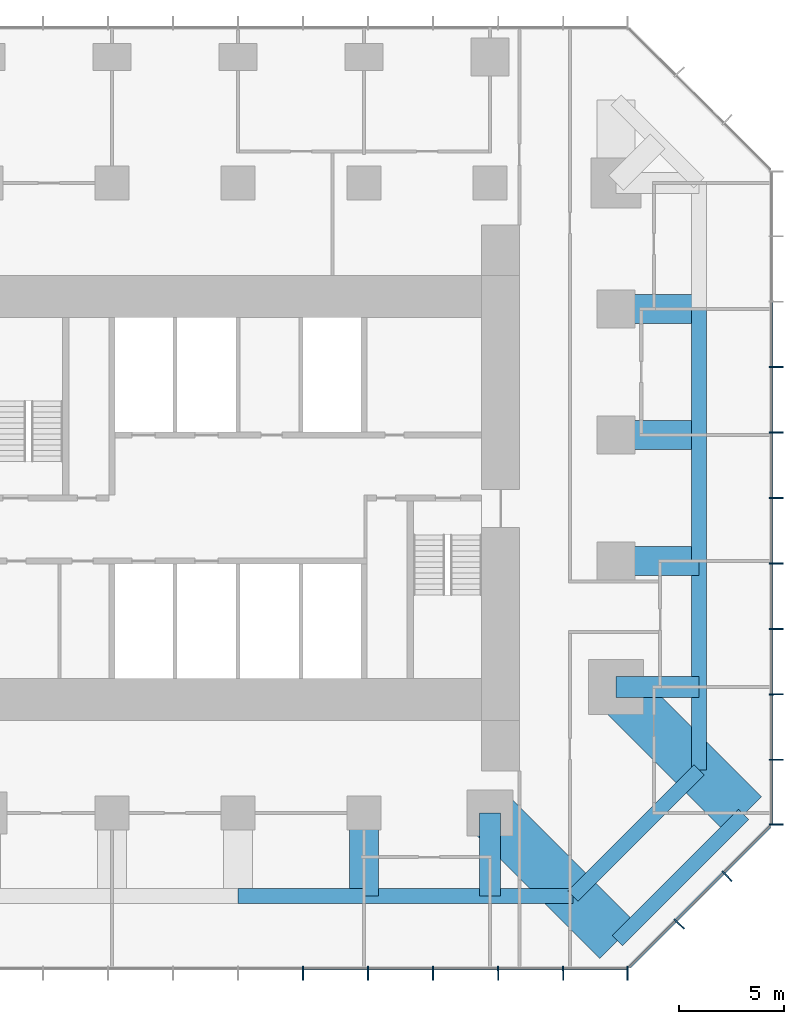
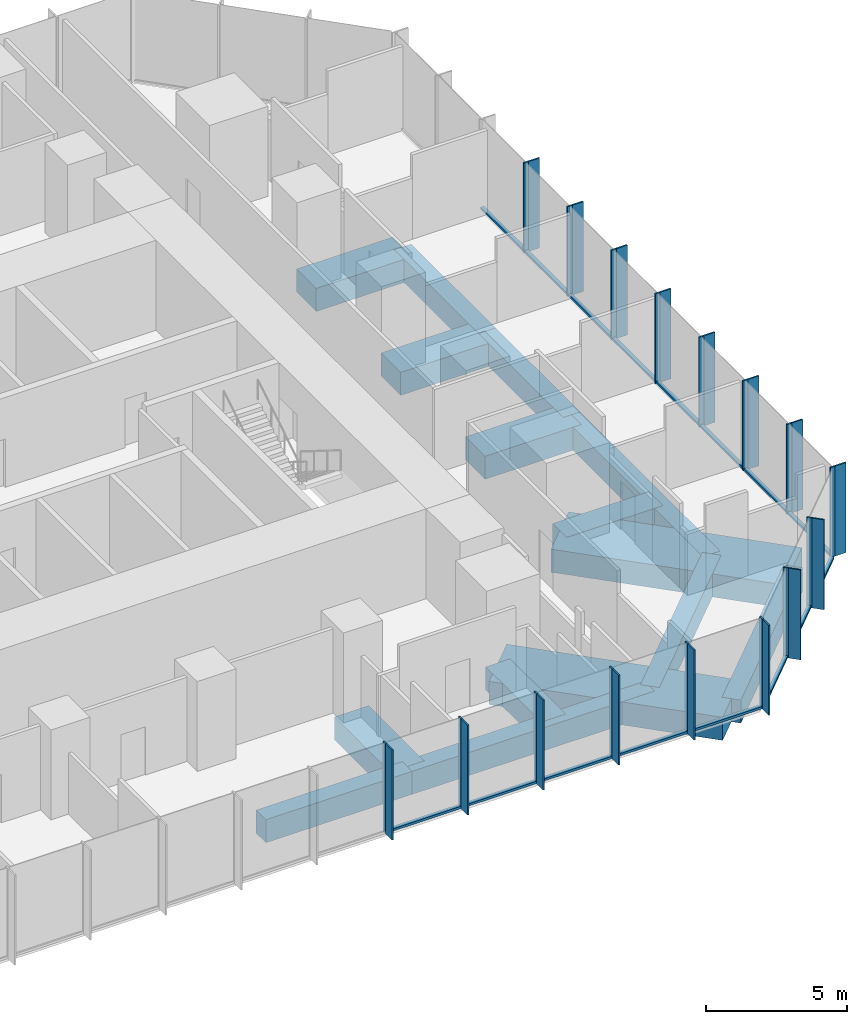
# One storey, part 4 of 11: 48 members, 15 beams, 3 elements without a shape of their own.
"""IFC4 building model written with IfcOpenShell, lengths in metres."""

from ifc_helpers import new_model, si_unit, direction, frame, origin, origin_2d, place, context, subcontext, project, spatial, rectangle, extrude, material, layer, layer_set, material_profile, profile_set, type_object, element, aggregate, save


model = new_model("IFC4")

# Units and contexts
model_context = context("Model", 3, precision=1e-05, world=origin(), true_north=direction((0.0, 1.0)))
body_context = subcontext(model_context, "Body", "Model", "MODEL_VIEW")
ifc_project = project(units=[si_unit("LENGTHUNIT", "METRE"), si_unit("AREAUNIT", "SQUARE_METRE"), si_unit("VOLUMEUNIT", "CUBIC_METRE"), si_unit("PLANEANGLEUNIT", "RADIAN"), si_unit("MASSUNIT", "GRAM", prefix="KILO")], contexts=[model_context])

# Site, building, storey
site_placement = place(None, origin())
site = spatial("IfcSite", under=ifc_project, at=site_placement, CompositionType="ELEMENT")
building_placement = place(site_placement, origin())
building = spatial("IfcBuilding", under=site, at=building_placement, Name="Highveld Stack Headquarters", CompositionType="ELEMENT")
storey_placement = place(building_placement, frame((0.0, 0.0, 140.60009765625)))
storey = spatial("IfcBuildingStorey", under=building, at=storey_placement, Name="L34", CompositionType="ELEMENT", Elevation=140.60009765625)

# Beams
ifc_material_1 = material(Name="Concrete C60/75", Category="concrete")
ifc_material_profile_1 = material_profile(ifc_material_1, rectangle(XDim=1.0, YDim=1.0, at=origin_2d()), Name="RC 1000x1000")
ifc_profile_set_1 = profile_set([ifc_material_profile_1], Name="Concrete C60/75")
beam_type_1 = type_object("IfcBeamType", Name="CANTILEVER RIB RC 1000x1000", PredefinedType="USERDEFINED", material=ifc_profile_set_1)
for number, where, z_axis, x_axis, name in (
    (1, (18.0, -12.0, -0.75), (0.0, -1.0, 0.0), (1.0, 0.0, 0.0), "Cantilever rib 9/C L34"),
    (2, (24.0, -6.0, -0.75), (1.0, 0.0, 0.0), (0.0, 1.0, 0.0), "Cantilever rib 10/D L34"),
):
    element("IfcBeam", number, at=place(storey_placement, frame(where, z_axis=z_axis, x_axis=x_axis)), inside=storey, type_object=beam_type_1, Name=name, ObjectType="CANTILEVER RIB", PredefinedType="USERDEFINED", context=body_context, shape_type="SweptSolid", body=[
        extrude(rectangle(XDim=1.0, YDim=1.0, at=origin_2d()), origin(), (0.0, 0.0, 1.0), 3.949951171875),
    ])
ifc_material_2 = material(Name="Concrete C60/75", Category="concrete")
ifc_material_profile_2 = material_profile(ifc_material_2, rectangle(XDim=1.39990234375, YDim=1.0, at=origin_2d()), Name="RC 1400x1000")
ifc_profile_set_2 = profile_set([ifc_material_profile_2], Name="Concrete C60/75")
beam_type_2 = type_object("IfcBeamType", Name="CANTILEVER RIB RC 1400x1000", PredefinedType="USERDEFINED", material=ifc_profile_set_2)
for number, where, z_axis, x_axis, name in (
    (3, (12.0, -12.0, -0.75), (0.0, -1.0, 0.0), (1.0, 0.0, 0.0), "Cantilever rib 8/C L34"),
    (4, (24.0, 0.0, -0.75), (1.0, 0.0, 0.0), (0.0, 1.0, 0.0), "Cantilever rib 10/E L34"),
    (5, (24.0, 6.0, -0.75), (1.0, 0.0, 0.0), (0.0, 1.0, 0.0), "Cantilever rib 10/F L34"),
    (6, (24.0, 12.0, -0.75), (1.0, 0.0, 0.0), (0.0, 1.0, 0.0), "Cantilever rib 10/G L34"),
):
    element("IfcBeam", number, at=place(storey_placement, frame(where, z_axis=z_axis, x_axis=x_axis)), inside=storey, type_object=beam_type_2, Name=name, ObjectType="CANTILEVER RIB", PredefinedType="USERDEFINED", context=body_context, shape_type="SweptSolid", body=[
        extrude(rectangle(XDim=1.39990234375, YDim=1.0, at=origin_2d()), origin(), (0.0, 0.0, 1.0), 3.949951171875),
    ])
ifc_material_3 = material(Name="Concrete C60/75", Category="concrete")
ifc_material_profile_3 = material_profile(ifc_material_3, rectangle(XDim=2.39990234375, YDim=1.0, at=origin_2d()), Name="RC 2400x1000")
ifc_profile_set_3 = profile_set([ifc_material_profile_3], Name="Concrete C60/75")
beam_type_3 = type_object("IfcBeamType", Name="CANTILEVER RIB RC 2400x1000", PredefinedType="USERDEFINED", material=ifc_profile_set_3)
for number, where, z_axis, x_axis, name in (
    (7, (18.0, -12.0, -0.75), (0.707106781187, -0.707106781187, 0.0), (0.707106781187, 0.707106781187, 0.0), "Cantilever rib 9/C L34"),
    (8, (24.0, -6.0, -0.75), (0.707106781187, -0.707106781187, 0.0), (0.707106781187, 0.707106781187, 0.0), "Cantilever rib 10/D L34"),
):
    element("IfcBeam", number, at=place(storey_placement, frame(where, z_axis=z_axis, x_axis=x_axis)), inside=storey, type_object=beam_type_3, Name=name, ObjectType="CANTILEVER RIB", PredefinedType="USERDEFINED", context=body_context, shape_type="SweptSolid", body=[
        extrude(rectangle(XDim=2.39990234375, YDim=1.0, at=origin_2d()), origin(), (0.0, 0.0, 1.0), 8.585693359375),
    ])

# Curtain wall, members
ifc_material_4 = material(Name="Aluminium bronze anodised", Category="aluminium")
ifc_layer_1 = layer(ifc_material_4, 0.199951171875)
ifc_layer_set_1 = layer_set([ifc_layer_1], Name="Aluminium bronze anodised")
curtain_wall_type_1 = type_object("IfcCurtainWallType", Name="CW1 TOWER UNITISED CURTAIN WALL", PredefinedType="NOTDEFINED", material=ifc_layer_set_1)
curtain_wall_1_placement = place(storey_placement, origin())
curtain_wall_1 = element("IfcCurtainWall", 9, at=curtain_wall_1_placement, inside=storey, type_object=curtain_wall_type_1, Name="Curtain wall CW1 L34 S", PredefinedType="NOTDEFINED")
ifc_material_5 = material(Name="Aluminium bronze anodised", Category="aluminium")
ifc_material_profile_4 = material_profile(ifc_material_5, rectangle(XDim=0.449951171875, YDim=0.06005859375, at=origin_2d()), Name="FIN 450x60")
ifc_profile_set_4 = profile_set([ifc_material_profile_4], Name="Aluminium bronze anodised")
member_type_1 = type_object("IfcMemberType", Name="CW1 BRONZE FIN 450x60", PredefinedType="USERDEFINED", material=ifc_profile_set_4)
member_1_placement = place(storey_placement, frame((9.0966796875, -19.72509765625, 0.0), z_axis=(0.0, 0.0, 1.0), x_axis=(0.0, 1.0, 0.0)))
member_1 = element("IfcMember", 10, at=member_1_placement, type_object=member_type_1, Name="CW1 fin L34 8", ObjectType="FIN", PredefinedType="USERDEFINED", context=body_context, shape_type="SweptSolid", body=[
    extrude(rectangle(XDim=0.449951171875, YDim=0.06005859375, at=origin_2d()), origin(), (0.0, 0.0, 1.0), 3.89990234375),
])
member_2_placement = place(storey_placement, frame((12.193359375, -19.72509765625, 0.0), z_axis=(0.0, 0.0, 1.0), x_axis=(0.0, 1.0, 0.0)))
member_2 = element("IfcMember", 11, at=member_2_placement, type_object=member_type_1, Name="CW1 fin L34 9", ObjectType="FIN", PredefinedType="USERDEFINED", context=body_context, shape_type="SweptSolid", body=[
    extrude(rectangle(XDim=0.449951171875, YDim=0.06005859375, at=origin_2d()), origin(), (0.0, 0.0, 1.0), 3.89990234375),
])
member_3_placement = place(storey_placement, frame((15.289794921875, -19.72509765625, 0.0), z_axis=(0.0, 0.0, 1.0), x_axis=(0.0, 1.0, 0.0)))
member_3 = element("IfcMember", 12, at=member_3_placement, type_object=member_type_1, Name="CW1 fin L34 10", ObjectType="FIN", PredefinedType="USERDEFINED", context=body_context, shape_type="SweptSolid", body=[
    extrude(rectangle(XDim=0.449951171875, YDim=0.06005859375, at=origin_2d()), origin(), (0.0, 0.0, 1.0), 3.89990234375),
])
member_4_placement = place(storey_placement, frame((18.38671875, -19.72509765625, 0.0), z_axis=(0.0, 0.0, 1.0), x_axis=(0.0, 1.0, 0.0)))
member_4 = element("IfcMember", 13, at=member_4_placement, type_object=member_type_1, Name="CW1 fin L34 11", ObjectType="FIN", PredefinedType="USERDEFINED", context=body_context, shape_type="SweptSolid", body=[
    extrude(rectangle(XDim=0.449951171875, YDim=0.06005859375, at=origin_2d()), origin(), (0.0, 0.0, 1.0), 3.89990234375),
])
member_5_placement = place(storey_placement, frame((21.483154296875, -19.72509765625, 0.0), z_axis=(0.0, 0.0, 1.0), x_axis=(0.0, 1.0, 0.0)))
member_5 = element("IfcMember", 14, at=member_5_placement, type_object=member_type_1, Name="CW1 fin L34 12", ObjectType="FIN", PredefinedType="USERDEFINED", context=body_context, shape_type="SweptSolid", body=[
    extrude(rectangle(XDim=0.449951171875, YDim=0.06005859375, at=origin_2d()), origin(), (0.0, 0.0, 1.0), 3.89990234375),
])
member_6_placement = place(storey_placement, frame((24.54736328125, -19.72509765625, 0.0), z_axis=(0.0, 0.0, 1.0), x_axis=(0.0, 1.0, 0.0)))
member_6 = element("IfcMember", 15, at=member_6_placement, type_object=member_type_1, Name="CW1 fin L34 13", ObjectType="FIN", PredefinedType="USERDEFINED", context=body_context, shape_type="SweptSolid", body=[
    extrude(rectangle(XDim=0.449951171875, YDim=0.06005859375, at=origin_2d()), origin(), (0.0, 0.0, 1.0), 3.89990234375),
])

curtain_wall_2_placement = place(storey_placement, origin())
curtain_wall_2 = element("IfcCurtainWall", 16, at=curtain_wall_2_placement, inside=storey, type_object=curtain_wall_type_1, Name="Curtain wall CW1 L34 E", PredefinedType="NOTDEFINED")
member_7_placement = place(storey_placement, frame((31.72509765625, -12.54736328125, 0.0), z_axis=(0.0, 0.0, 1.0), x_axis=(-1.0, 0.0, 0.0)))
member_7 = element("IfcMember", 17, at=member_7_placement, type_object=member_type_1, Name="CW1 fin L34 1", ObjectType="FIN", PredefinedType="USERDEFINED", context=body_context, shape_type="SweptSolid", body=[
    extrude(rectangle(XDim=0.449951171875, YDim=0.06005859375, at=origin_2d()), origin(), (0.0, 0.0, 1.0), 3.89990234375),
])
member_8_placement = place(storey_placement, frame((31.72509765625, -9.4638671875, 0.0), z_axis=(0.0, 0.0, 1.0), x_axis=(-1.0, 0.0, 0.0)))
member_8 = element("IfcMember", 18, at=member_8_placement, type_object=member_type_1, Name="CW1 fin L34 2", ObjectType="FIN", PredefinedType="USERDEFINED", context=body_context, shape_type="SweptSolid", body=[
    extrude(rectangle(XDim=0.449951171875, YDim=0.06005859375, at=origin_2d()), origin(), (0.0, 0.0, 1.0), 3.89990234375),
])
member_9_placement = place(storey_placement, frame((31.72509765625, -6.347900390625, 0.0), z_axis=(0.0, 0.0, 1.0), x_axis=(-1.0, 0.0, 0.0)))
member_9 = element("IfcMember", 19, at=member_9_placement, type_object=member_type_1, Name="CW1 fin L34 3", ObjectType="FIN", PredefinedType="USERDEFINED", context=body_context, shape_type="SweptSolid", body=[
    extrude(rectangle(XDim=0.449951171875, YDim=0.06005859375, at=origin_2d()), origin(), (0.0, 0.0, 1.0), 3.89990234375),
])
member_10_placement = place(storey_placement, frame((31.72509765625, -3.23193359375, 0.0), z_axis=(0.0, 0.0, 1.0), x_axis=(-1.0, 0.0, 0.0)))
member_10 = element("IfcMember", 20, at=member_10_placement, type_object=member_type_1, Name="CW1 fin L34 4", ObjectType="FIN", PredefinedType="USERDEFINED", context=body_context, shape_type="SweptSolid", body=[
    extrude(rectangle(XDim=0.449951171875, YDim=0.06005859375, at=origin_2d()), origin(), (0.0, 0.0, 1.0), 3.89990234375),
])
member_11_placement = place(storey_placement, frame((31.72509765625, -0.115966796875, 0.0), z_axis=(0.0, 0.0, 1.0), x_axis=(-1.0, 0.0, 0.0)))
member_11 = element("IfcMember", 21, at=member_11_placement, type_object=member_type_1, Name="CW1 fin L34 5", ObjectType="FIN", PredefinedType="USERDEFINED", context=body_context, shape_type="SweptSolid", body=[
    extrude(rectangle(XDim=0.449951171875, YDim=0.06005859375, at=origin_2d()), origin(), (0.0, 0.0, 1.0), 3.89990234375),
])
member_12_placement = place(storey_placement, frame((31.72509765625, 3.0, 0.0), z_axis=(0.0, 0.0, 1.0), x_axis=(-1.0, 0.0, 0.0)))
member_12 = element("IfcMember", 22, at=member_12_placement, type_object=member_type_1, Name="CW1 fin L34 6", ObjectType="FIN", PredefinedType="USERDEFINED", context=body_context, shape_type="SweptSolid", body=[
    extrude(rectangle(XDim=0.449951171875, YDim=0.06005859375, at=origin_2d()), origin(), (0.0, 0.0, 1.0), 3.89990234375),
])
member_13_placement = place(storey_placement, frame((31.72509765625, 6.115966796875, 0.0), z_axis=(0.0, 0.0, 1.0), x_axis=(-1.0, 0.0, 0.0)))
member_13 = element("IfcMember", 23, at=member_13_placement, type_object=member_type_1, Name="CW1 fin L34 7", ObjectType="FIN", PredefinedType="USERDEFINED", context=body_context, shape_type="SweptSolid", body=[
    extrude(rectangle(XDim=0.449951171875, YDim=0.06005859375, at=origin_2d()), origin(), (0.0, 0.0, 1.0), 3.89990234375),
])
member_14_placement = place(storey_placement, frame((31.72509765625, 9.23193359375, 0.0), z_axis=(0.0, 0.0, 1.0), x_axis=(-1.0, 0.0, 0.0)))
member_14 = element("IfcMember", 24, at=member_14_placement, type_object=member_type_1, Name="CW1 fin L34 8", ObjectType="FIN", PredefinedType="USERDEFINED", context=body_context, shape_type="SweptSolid", body=[
    extrude(rectangle(XDim=0.449951171875, YDim=0.06005859375, at=origin_2d()), origin(), (0.0, 0.0, 1.0), 3.89990234375),
])

# Member
ifc_material_6 = material(Name="Aluminium bronze anodised", Category="aluminium")
ifc_material_profile_5 = material_profile(ifc_material_6, rectangle(XDim=0.199951171875, YDim=0.06494140625, at=origin_2d()), Name="CW1 MULLION 65x200")
ifc_profile_set_5 = profile_set([ifc_material_profile_5], Name="Aluminium bronze anodised")
member_type_2 = type_object("IfcMemberType", Name="CW1 MULLION 65x200", PredefinedType="MULLION", material=ifc_profile_set_5)
member_15_placement = place(storey_placement, frame((9.0966796875, -19.39990234375, 0.0), z_axis=(0.0, 0.0, 1.0), x_axis=(0.0, 1.0, 0.0)))
member_15 = element("IfcMember", 25, at=member_15_placement, type_object=member_type_2, Name="CW1 mullion L34 8", PredefinedType="MULLION", context=body_context, shape_type="SweptSolid", body=[
    extrude(rectangle(XDim=0.199951171875, YDim=0.06494140625, at=origin_2d()), origin(), (0.0, 0.0, 1.0), 3.89990234375),
])

member_16_placement = place(storey_placement, frame((12.193359375, -19.39990234375, 0.0), z_axis=(0.0, 0.0, 1.0), x_axis=(0.0, 1.0, 0.0)))
member_16 = element("IfcMember", 26, at=member_16_placement, type_object=member_type_2, Name="CW1 mullion L34 9", PredefinedType="MULLION", context=body_context, shape_type="SweptSolid", body=[
    extrude(rectangle(XDim=0.199951171875, YDim=0.06494140625, at=origin_2d()), origin(), (0.0, 0.0, 1.0), 3.89990234375),
])

member_17_placement = place(storey_placement, frame((15.289794921875, -19.39990234375, 0.0), z_axis=(0.0, 0.0, 1.0), x_axis=(0.0, 1.0, 0.0)))
member_17 = element("IfcMember", 27, at=member_17_placement, type_object=member_type_2, Name="CW1 mullion L34 10", PredefinedType="MULLION", context=body_context, shape_type="SweptSolid", body=[
    extrude(rectangle(XDim=0.199951171875, YDim=0.06494140625, at=origin_2d()), origin(), (0.0, 0.0, 1.0), 3.89990234375),
])

member_18_placement = place(storey_placement, frame((18.38671875, -19.39990234375, 0.0), z_axis=(0.0, 0.0, 1.0), x_axis=(0.0, 1.0, 0.0)))
member_18 = element("IfcMember", 28, at=member_18_placement, type_object=member_type_2, Name="CW1 mullion L34 11", PredefinedType="MULLION", context=body_context, shape_type="SweptSolid", body=[
    extrude(rectangle(XDim=0.199951171875, YDim=0.06494140625, at=origin_2d()), origin(), (0.0, 0.0, 1.0), 3.89990234375),
])

member_19_placement = place(storey_placement, frame((21.483154296875, -19.39990234375, 0.0), z_axis=(0.0, 0.0, 1.0), x_axis=(0.0, 1.0, 0.0)))
member_19 = element("IfcMember", 29, at=member_19_placement, type_object=member_type_2, Name="CW1 mullion L34 12", PredefinedType="MULLION", context=body_context, shape_type="SweptSolid", body=[
    extrude(rectangle(XDim=0.199951171875, YDim=0.06494140625, at=origin_2d()), origin(), (0.0, 0.0, 1.0), 3.89990234375),
])

member_20_placement = place(storey_placement, frame((24.54736328125, -19.39990234375, 0.0), z_axis=(0.0, 0.0, 1.0), x_axis=(0.0, 1.0, 0.0)))
member_20 = element("IfcMember", 30, at=member_20_placement, type_object=member_type_2, Name="CW1 mullion L34 13", PredefinedType="MULLION", context=body_context, shape_type="SweptSolid", body=[
    extrude(rectangle(XDim=0.199951171875, YDim=0.06494140625, at=origin_2d()), origin(), (0.0, 0.0, 1.0), 3.89990234375),
])

member_21_placement = place(storey_placement, frame((31.39990234375, -12.54736328125, 0.0), z_axis=(0.0, 0.0, 1.0), x_axis=(-1.0, 0.0, 0.0)))
member_21 = element("IfcMember", 31, at=member_21_placement, type_object=member_type_2, Name="CW1 mullion L34 1", PredefinedType="MULLION", context=body_context, shape_type="SweptSolid", body=[
    extrude(rectangle(XDim=0.199951171875, YDim=0.06494140625, at=origin_2d()), origin(), (0.0, 0.0, 1.0), 3.89990234375),
])

member_22_placement = place(storey_placement, frame((31.39990234375, -9.4638671875, 0.0), z_axis=(0.0, 0.0, 1.0), x_axis=(-1.0, 0.0, 0.0)))
member_22 = element("IfcMember", 32, at=member_22_placement, type_object=member_type_2, Name="CW1 mullion L34 2", PredefinedType="MULLION", context=body_context, shape_type="SweptSolid", body=[
    extrude(rectangle(XDim=0.199951171875, YDim=0.06494140625, at=origin_2d()), origin(), (0.0, 0.0, 1.0), 3.89990234375),
])

member_23_placement = place(storey_placement, frame((31.39990234375, -6.347900390625, 0.0), z_axis=(0.0, 0.0, 1.0), x_axis=(-1.0, 0.0, 0.0)))
member_23 = element("IfcMember", 33, at=member_23_placement, type_object=member_type_2, Name="CW1 mullion L34 3", PredefinedType="MULLION", context=body_context, shape_type="SweptSolid", body=[
    extrude(rectangle(XDim=0.199951171875, YDim=0.06494140625, at=origin_2d()), origin(), (0.0, 0.0, 1.0), 3.89990234375),
])

member_24_placement = place(storey_placement, frame((31.39990234375, -3.23193359375, 0.0), z_axis=(0.0, 0.0, 1.0), x_axis=(-1.0, 0.0, 0.0)))
member_24 = element("IfcMember", 34, at=member_24_placement, type_object=member_type_2, Name="CW1 mullion L34 4", PredefinedType="MULLION", context=body_context, shape_type="SweptSolid", body=[
    extrude(rectangle(XDim=0.199951171875, YDim=0.06494140625, at=origin_2d()), origin(), (0.0, 0.0, 1.0), 3.89990234375),
])

member_25_placement = place(storey_placement, frame((31.39990234375, -0.115966796875, 0.0), z_axis=(0.0, 0.0, 1.0), x_axis=(-1.0, 0.0, 0.0)))
member_25 = element("IfcMember", 35, at=member_25_placement, type_object=member_type_2, Name="CW1 mullion L34 5", PredefinedType="MULLION", context=body_context, shape_type="SweptSolid", body=[
    extrude(rectangle(XDim=0.199951171875, YDim=0.06494140625, at=origin_2d()), origin(), (0.0, 0.0, 1.0), 3.89990234375),
])

member_26_placement = place(storey_placement, frame((31.39990234375, 3.0, 0.0), z_axis=(0.0, 0.0, 1.0), x_axis=(-1.0, 0.0, 0.0)))
member_26 = element("IfcMember", 36, at=member_26_placement, type_object=member_type_2, Name="CW1 mullion L34 6", PredefinedType="MULLION", context=body_context, shape_type="SweptSolid", body=[
    extrude(rectangle(XDim=0.199951171875, YDim=0.06494140625, at=origin_2d()), origin(), (0.0, 0.0, 1.0), 3.89990234375),
])

member_27_placement = place(storey_placement, frame((31.39990234375, 6.115966796875, 0.0), z_axis=(0.0, 0.0, 1.0), x_axis=(-1.0, 0.0, 0.0)))
member_27 = element("IfcMember", 37, at=member_27_placement, type_object=member_type_2, Name="CW1 mullion L34 7", PredefinedType="MULLION", context=body_context, shape_type="SweptSolid", body=[
    extrude(rectangle(XDim=0.199951171875, YDim=0.06494140625, at=origin_2d()), origin(), (0.0, 0.0, 1.0), 3.89990234375),
])

member_28_placement = place(storey_placement, frame((31.39990234375, 9.23193359375, 0.0), z_axis=(0.0, 0.0, 1.0), x_axis=(-1.0, 0.0, 0.0)))
member_28 = element("IfcMember", 38, at=member_28_placement, type_object=member_type_2, Name="CW1 mullion L34 8", PredefinedType="MULLION", context=body_context, shape_type="SweptSolid", body=[
    extrude(rectangle(XDim=0.199951171875, YDim=0.06494140625, at=origin_2d()), origin(), (0.0, 0.0, 1.0), 3.89990234375),
])

ifc_material_7 = material(Name="Aluminium bronze anodised", Category="aluminium")
ifc_material_profile_6 = material_profile(ifc_material_7, rectangle(XDim=0.14990234375, YDim=0.10009765625, at=origin_2d()), Name="CW1 TRANSOM 150x100")
ifc_profile_set_6 = profile_set([ifc_material_profile_6], Name="Aluminium bronze anodised")
member_type_3 = type_object("IfcMemberType", Name="CW1 STACK TRANSOM 150x100", PredefinedType="USERDEFINED", material=ifc_profile_set_6)
member_29_placement = place(storey_placement, frame((9.129150390625, -19.39990234375, 0.0498046875), z_axis=(1.0, 0.0, 0.0), x_axis=(0.0, 1.0, 0.0)))
member_29 = element("IfcMember", 39, at=member_29_placement, type_object=member_type_3, Name="CW1 transom L34 8.1", ObjectType="TRANSOM", PredefinedType="USERDEFINED", context=body_context, shape_type="SweptSolid", body=[
    extrude(rectangle(XDim=0.14990234375, YDim=0.10009765625, at=origin_2d()), origin(), (0.0, 0.0, 1.0), 3.03173828125),
])

member_30_placement = place(storey_placement, frame((12.225830078125, -19.39990234375, 0.0498046875), z_axis=(1.0, 0.0, 0.0), x_axis=(0.0, 1.0, 0.0)))
member_30 = element("IfcMember", 40, at=member_30_placement, type_object=member_type_3, Name="CW1 transom L34 9.1", ObjectType="TRANSOM", PredefinedType="USERDEFINED", context=body_context, shape_type="SweptSolid", body=[
    extrude(rectangle(XDim=0.14990234375, YDim=0.10009765625, at=origin_2d()), origin(), (0.0, 0.0, 1.0), 3.03173828125),
])

member_31_placement = place(storey_placement, frame((15.322509765625, -19.39990234375, 0.0498046875), z_axis=(1.0, 0.0, 0.0), x_axis=(0.0, 1.0, 0.0)))
member_31 = element("IfcMember", 41, at=member_31_placement, type_object=member_type_3, Name="CW1 transom L34 10.1", ObjectType="TRANSOM", PredefinedType="USERDEFINED", context=body_context, shape_type="SweptSolid", body=[
    extrude(rectangle(XDim=0.14990234375, YDim=0.10009765625, at=origin_2d()), origin(), (0.0, 0.0, 1.0), 3.031494140625),
])

member_32_placement = place(storey_placement, frame((18.419189453125, -19.39990234375, 0.0498046875), z_axis=(1.0, 0.0, 0.0), x_axis=(0.0, 1.0, 0.0)))
member_32 = element("IfcMember", 42, at=member_32_placement, type_object=member_type_3, Name="CW1 transom L34 11.1", ObjectType="TRANSOM", PredefinedType="USERDEFINED", context=body_context, shape_type="SweptSolid", body=[
    extrude(rectangle(XDim=0.14990234375, YDim=0.10009765625, at=origin_2d()), origin(), (0.0, 0.0, 1.0), 3.031494140625),
])

member_33_placement = place(storey_placement, frame((21.515625, -19.39990234375, 0.0498046875), z_axis=(1.0, 0.0, 0.0), x_axis=(0.0, 1.0, 0.0)))
member_33 = element("IfcMember", 43, at=member_33_placement, type_object=member_type_3, Name="CW1 transom L34 12.1", ObjectType="TRANSOM", PredefinedType="USERDEFINED", context=body_context, shape_type="SweptSolid", body=[
    extrude(rectangle(XDim=0.14990234375, YDim=0.10009765625, at=origin_2d()), origin(), (0.0, 0.0, 1.0), 2.999267578125),
])

aggregate(curtain_wall_1, [member_15, member_1, member_16, member_2, member_17, member_3, member_18, member_4, member_19, member_5, member_20, member_6, member_29, member_30, member_31, member_32, member_33])

member_34_placement = place(storey_placement, frame((31.39990234375, -12.514892578125, 0.0498046875), z_axis=(0.0, 1.0, 0.0), x_axis=(-1.0, 0.0, 0.0)))
member_34 = element("IfcMember", 44, at=member_34_placement, type_object=member_type_3, Name="CW1 transom L34 1.1", ObjectType="TRANSOM", PredefinedType="USERDEFINED", context=body_context, shape_type="SweptSolid", body=[
    extrude(rectangle(XDim=0.14990234375, YDim=0.10009765625, at=origin_2d()), origin(), (0.0, 0.0, 1.0), 3.0185546875),
])

member_35_placement = place(storey_placement, frame((31.39990234375, -9.431396484375, 0.0498046875), z_axis=(0.0, 1.0, 0.0), x_axis=(-1.0, 0.0, 0.0)))
member_35 = element("IfcMember", 45, at=member_35_placement, type_object=member_type_3, Name="CW1 transom L34 2.1", ObjectType="TRANSOM", PredefinedType="USERDEFINED", context=body_context, shape_type="SweptSolid", body=[
    extrude(rectangle(XDim=0.14990234375, YDim=0.10009765625, at=origin_2d()), origin(), (0.0, 0.0, 1.0), 3.051025390625),
])

member_36_placement = place(storey_placement, frame((31.39990234375, -6.3154296875, 0.0498046875), z_axis=(0.0, 1.0, 0.0), x_axis=(-1.0, 0.0, 0.0)))
member_36 = element("IfcMember", 46, at=member_36_placement, type_object=member_type_3, Name="CW1 transom L34 3.1", ObjectType="TRANSOM", PredefinedType="USERDEFINED", context=body_context, shape_type="SweptSolid", body=[
    extrude(rectangle(XDim=0.14990234375, YDim=0.10009765625, at=origin_2d()), origin(), (0.0, 0.0, 1.0), 3.051025390625),
])

member_37_placement = place(storey_placement, frame((31.39990234375, -3.199462890625, 0.0498046875), z_axis=(0.0, 1.0, 0.0), x_axis=(-1.0, 0.0, 0.0)))
member_37 = element("IfcMember", 47, at=member_37_placement, type_object=member_type_3, Name="CW1 transom L34 4.1", ObjectType="TRANSOM", PredefinedType="USERDEFINED", context=body_context, shape_type="SweptSolid", body=[
    extrude(rectangle(XDim=0.14990234375, YDim=0.10009765625, at=origin_2d()), origin(), (0.0, 0.0, 1.0), 3.051025390625),
])

member_38_placement = place(storey_placement, frame((31.39990234375, -0.08349609375, 0.0498046875), z_axis=(0.0, 1.0, 0.0), x_axis=(-1.0, 0.0, 0.0)))
member_38 = element("IfcMember", 48, at=member_38_placement, type_object=member_type_3, Name="CW1 transom L34 5.1", ObjectType="TRANSOM", PredefinedType="USERDEFINED", context=body_context, shape_type="SweptSolid", body=[
    extrude(rectangle(XDim=0.14990234375, YDim=0.10009765625, at=origin_2d()), origin(), (0.0, 0.0, 1.0), 3.051025390625),
])

member_39_placement = place(storey_placement, frame((31.39990234375, 3.032470703125, 0.0498046875), z_axis=(0.0, 1.0, 0.0), x_axis=(-1.0, 0.0, 0.0)))
member_39 = element("IfcMember", 49, at=member_39_placement, type_object=member_type_3, Name="CW1 transom L34 6.1", ObjectType="TRANSOM", PredefinedType="USERDEFINED", context=body_context, shape_type="SweptSolid", body=[
    extrude(rectangle(XDim=0.14990234375, YDim=0.10009765625, at=origin_2d()), origin(), (0.0, 0.0, 1.0), 3.051025390625),
])

member_40_placement = place(storey_placement, frame((31.39990234375, 6.1484375, 0.0498046875), z_axis=(0.0, 1.0, 0.0), x_axis=(-1.0, 0.0, 0.0)))
member_40 = element("IfcMember", 50, at=member_40_placement, type_object=member_type_3, Name="CW1 transom L34 7.1", ObjectType="TRANSOM", PredefinedType="USERDEFINED", context=body_context, shape_type="SweptSolid", body=[
    extrude(rectangle(XDim=0.14990234375, YDim=0.10009765625, at=origin_2d()), origin(), (0.0, 0.0, 1.0), 3.051025390625),
])

member_41_placement = place(storey_placement, frame((31.39990234375, 9.264404296875, 0.0498046875), z_axis=(0.0, 1.0, 0.0), x_axis=(-1.0, 0.0, 0.0)))
member_41 = element("IfcMember", 51, at=member_41_placement, type_object=member_type_3, Name="CW1 transom L34 8.1", ObjectType="TRANSOM", PredefinedType="USERDEFINED", context=body_context, shape_type="SweptSolid", body=[
    extrude(rectangle(XDim=0.14990234375, YDim=0.10009765625, at=origin_2d()), origin(), (0.0, 0.0, 1.0), 3.051025390625),
])

aggregate(curtain_wall_2, [member_21, member_7, member_22, member_8, member_23, member_9, member_24, member_10, member_25, member_11, member_26, member_12, member_27, member_13, member_28, member_14, member_34, member_35, member_36, member_37, member_38, member_39, member_40, member_41])

# Curtain wall, members
ifc_material_8 = material(Name="Aluminium bronze anodised", Category="aluminium")
ifc_layer_2 = layer(ifc_material_8, 0.199951171875)
ifc_layer_set_2 = layer_set([ifc_layer_2], Name="Aluminium bronze anodised")
curtain_wall_type_2 = type_object("IfcCurtainWallType", Name="CW2 TOWER CHAMFER UNITISED CURTAIN WALL", PredefinedType="NOTDEFINED", material=ifc_layer_set_2)
curtain_wall_3_placement = place(storey_placement, origin())
curtain_wall_3 = element("IfcCurtainWall", 52, at=curtain_wall_3_placement, inside=storey, type_object=curtain_wall_type_2, Name="Curtain wall CW2 L34 SE", PredefinedType="NOTDEFINED")
ifc_material_9 = material(Name="Aluminium bronze anodised", Category="aluminium")
ifc_material_profile_7 = material_profile(ifc_material_9, rectangle(XDim=0.449951171875, YDim=0.06005859375, at=origin_2d()), Name="FIN 450x60")
ifc_profile_set_7 = profile_set([ifc_material_profile_7], Name="Aluminium bronze anodised")
member_type_4 = type_object("IfcMemberType", Name="CW2 BRONZE FIN 450x60", PredefinedType="USERDEFINED", material=ifc_profile_set_7)
member_42_placement = place(storey_placement, frame((27.0830078125, -17.3564453125, 0.0), z_axis=(0.0, 0.0, 1.0), x_axis=(-0.707106781187, 0.707106781187, 0.0)))
member_42 = element("IfcMember", 53, at=member_42_placement, type_object=member_type_4, Name="CW2 fin L34 1", ObjectType="FIN", PredefinedType="USERDEFINED", context=body_context, shape_type="SweptSolid", body=[
    extrude(rectangle(XDim=0.449951171875, YDim=0.06005859375, at=origin_2d()), origin(), (0.0, 0.0, 1.0), 3.89990234375),
])
member_43_placement = place(storey_placement, frame((29.3564453125, -15.0830078125, 0.0), z_axis=(0.0, 0.0, 1.0), x_axis=(-0.707106781187, 0.707106781187, 0.0)))
member_43 = element("IfcMember", 54, at=member_43_placement, type_object=member_type_4, Name="CW2 fin L34 2", ObjectType="FIN", PredefinedType="USERDEFINED", context=body_context, shape_type="SweptSolid", body=[
    extrude(rectangle(XDim=0.449951171875, YDim=0.06005859375, at=origin_2d()), origin(), (0.0, 0.0, 1.0), 3.89990234375),
])
ifc_material_10 = material(Name="Aluminium bronze anodised", Category="aluminium")
ifc_material_profile_8 = material_profile(ifc_material_10, rectangle(XDim=0.199951171875, YDim=0.06494140625, at=origin_2d()), Name="CW2 MULLION 65x200")
ifc_profile_set_8 = profile_set([ifc_material_profile_8], Name="Aluminium bronze anodised")
member_type_5 = type_object("IfcMemberType", Name="CW2 MULLION 65x200", PredefinedType="MULLION", material=ifc_profile_set_8)
member_44_placement = place(storey_placement, frame((26.853271484375, -17.126708984375, 0.0), z_axis=(0.0, 0.0, 1.0), x_axis=(-0.707106781187, 0.707106781187, 0.0)))
member_44 = element("IfcMember", 55, at=member_44_placement, type_object=member_type_5, Name="CW2 mullion L34 1", PredefinedType="MULLION", context=body_context, shape_type="SweptSolid", body=[
    extrude(rectangle(XDim=0.199951171875, YDim=0.06494140625, at=origin_2d()), origin(), (0.0, 0.0, 1.0), 3.89990234375),
])
member_45_placement = place(storey_placement, frame((29.126708984375, -14.853271484375, 0.0), z_axis=(0.0, 0.0, 1.0), x_axis=(-0.707106781187, 0.707106781187, 0.0)))
member_45 = element("IfcMember", 56, at=member_45_placement, type_object=member_type_5, Name="CW2 mullion L34 2", PredefinedType="MULLION", context=body_context, shape_type="SweptSolid", body=[
    extrude(rectangle(XDim=0.199951171875, YDim=0.06494140625, at=origin_2d()), origin(), (0.0, 0.0, 1.0), 3.89990234375),
])
ifc_material_11 = material(Name="Aluminium bronze anodised", Category="aluminium")
ifc_material_profile_9 = material_profile(ifc_material_11, rectangle(XDim=0.14990234375, YDim=0.10009765625, at=origin_2d()), Name="CW2 TRANSOM 150x100")
ifc_profile_set_9 = profile_set([ifc_material_profile_9], Name="Aluminium bronze anodised")
member_type_6 = type_object("IfcMemberType", Name="CW2 STACK TRANSOM 150x100", PredefinedType="USERDEFINED", material=ifc_profile_set_9)
member_46_placement = place(storey_placement, frame((24.650634765625, -19.329345703125, 0.0498046875), z_axis=(0.707106781187, 0.707106781187, 0.0), x_axis=(-0.707106781187, 0.707106781187, 0.0)))
member_46 = element("IfcMember", 57, at=member_46_placement, type_object=member_type_6, Name="CW2 transom L34 1.1", ObjectType="TRANSOM", PredefinedType="USERDEFINED", context=body_context, shape_type="SweptSolid", body=[
    extrude(rectangle(XDim=0.14990234375, YDim=0.10009765625, at=origin_2d()), origin(), (0.0, 0.0, 1.0), 3.08251953125),
])
member_47_placement = place(storey_placement, frame((26.876220703125, -17.103759765625, 0.0498046875), z_axis=(0.707106781187, 0.707106781187, 0.0), x_axis=(-0.707106781187, 0.707106781187, 0.0)))
member_47 = element("IfcMember", 58, at=member_47_placement, type_object=member_type_6, Name="CW2 transom L34 2.1", ObjectType="TRANSOM", PredefinedType="USERDEFINED", context=body_context, shape_type="SweptSolid", body=[
    extrude(rectangle(XDim=0.14990234375, YDim=0.10009765625, at=origin_2d()), origin(), (0.0, 0.0, 1.0), 3.150146484375),
])
member_48_placement = place(storey_placement, frame((29.149658203125, -14.830322265625, 0.0498046875), z_axis=(0.707106781187, 0.707106781187, 0.0), x_axis=(-0.707106781187, 0.707106781187, 0.0)))
member_48 = element("IfcMember", 59, at=member_48_placement, type_object=member_type_6, Name="CW2 transom L34 3.1", ObjectType="TRANSOM", PredefinedType="USERDEFINED", context=body_context, shape_type="SweptSolid", body=[
    extrude(rectangle(XDim=0.14990234375, YDim=0.10009765625, at=origin_2d()), origin(), (0.0, 0.0, 1.0), 3.08251953125),
])
aggregate(curtain_wall_3, [member_44, member_42, member_45, member_43, member_46, member_47, member_48])

# Beams
ifc_material_12 = material(Name="Concrete C60/75", Category="concrete")
ifc_material_profile_10 = material_profile(ifc_material_12, rectangle(XDim=0.699951171875, YDim=1.0, at=origin_2d()), Name="RC 700x1000")
ifc_profile_set_10 = profile_set([ifc_material_profile_10], Name="Concrete C60/75")
beam_type_4 = type_object("IfcBeamType", Name="RIB TIP BEAM RC 700x1000", PredefinedType="SPANDREL", material=ifc_profile_set_10)
beam_1_placement = place(storey_placement, frame((27.949951171875, -9.949951171875, -0.75), z_axis=(0.0, 1.0, 0.0), x_axis=(-1.0, 0.0, 0.0)))
element("IfcBeam", 60, at=beam_1_placement, inside=storey, type_object=beam_type_4, Name="Rib tip beam 10/D to 10/E L34", PredefinedType="SPANDREL", context=body_context, shape_type="SweptSolid", body=[
    extrude(rectangle(XDim=0.699951171875, YDim=1.0, at=origin_2d()), origin(), (0.0, 0.0, 1.0), 9.949951171875),
])
for number, where, z_axis, x_axis, name in (
    (61, (27.949951171875, 0.0, -0.75), (0.0, 1.0, 0.0), (-1.0, 0.0, 0.0), "Rib tip beam 10/E to 10/F L34"),
    (62, (27.949951171875, 6.0, -0.75), (0.0, 1.0, 0.0), (-1.0, 0.0, 0.0), "Rib tip beam 10/F to 10/G L34"),
    (63, (6.0, -15.949951171875, -0.75), (1.0, 0.0, 0.0), (0.0, 1.0, 0.0), "Rib tip beam 7/C to 8/C L34"),
):
    element("IfcBeam", number, at=place(storey_placement, frame(where, z_axis=z_axis, x_axis=x_axis)), inside=storey, type_object=beam_type_4, Name=name, PredefinedType="SPANDREL", context=body_context, shape_type="SweptSolid", body=[
        extrude(rectangle(XDim=0.699951171875, YDim=1.0, at=origin_2d()), origin(), (0.0, 0.0, 1.0), 6.0),
    ])
beam_2_placement = place(storey_placement, frame((12.0, -15.949951171875, -0.75), z_axis=(1.0, 0.0, 0.0), x_axis=(0.0, 1.0, 0.0)))
element("IfcBeam", 64, at=beam_2_placement, inside=storey, type_object=beam_type_4, Name="Rib tip beam 8/C to 9/C L34", PredefinedType="SPANDREL", context=body_context, shape_type="SweptSolid", body=[
    extrude(rectangle(XDim=0.699951171875, YDim=1.0, at=origin_2d()), origin(), (0.0, 0.0, 1.0), 9.949951171875),
])
for number, where, z_axis, x_axis, name in (
    (65, (21.949951171875, -15.949951171875, -0.75), (0.707106781187, 0.707106781187, 0.0), (-0.707106781187, 0.707106781187, 0.0), "Rib tip beam 9/C to 10/D chamfer L34"),
    (66, (24.071044921875, -18.071044921875, -0.75), (0.707106781187, 0.707106781187, 0.0), (-0.707106781187, 0.707106781187, 0.0), "Rib tip beam 9/C to 10/D chamfer edge L34"),
):
    element("IfcBeam", number, at=place(storey_placement, frame(where, z_axis=z_axis, x_axis=x_axis)), inside=storey, type_object=beam_type_4, Name=name, PredefinedType="SPANDREL", context=body_context, shape_type="SweptSolid", body=[
        extrude(rectangle(XDim=0.699951171875, YDim=1.0, at=origin_2d()), origin(), (0.0, 0.0, 1.0), 8.4853515625),
    ])

save(model, "model.ifc")
